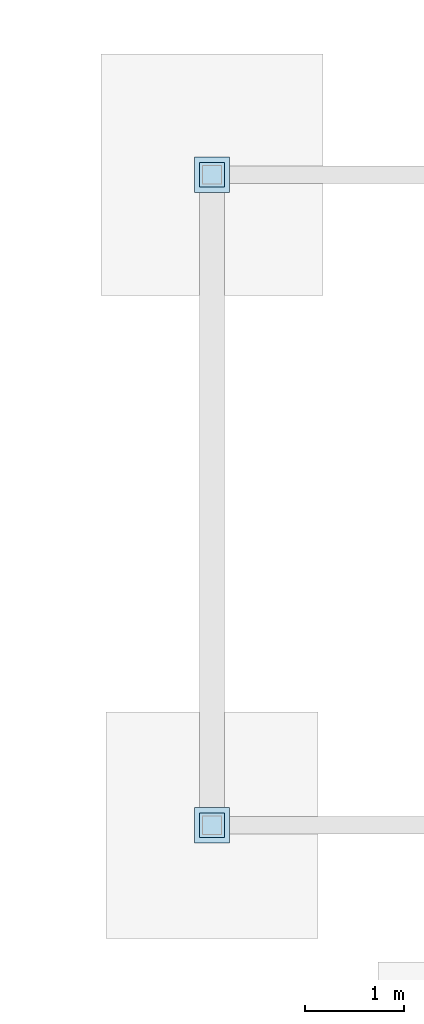
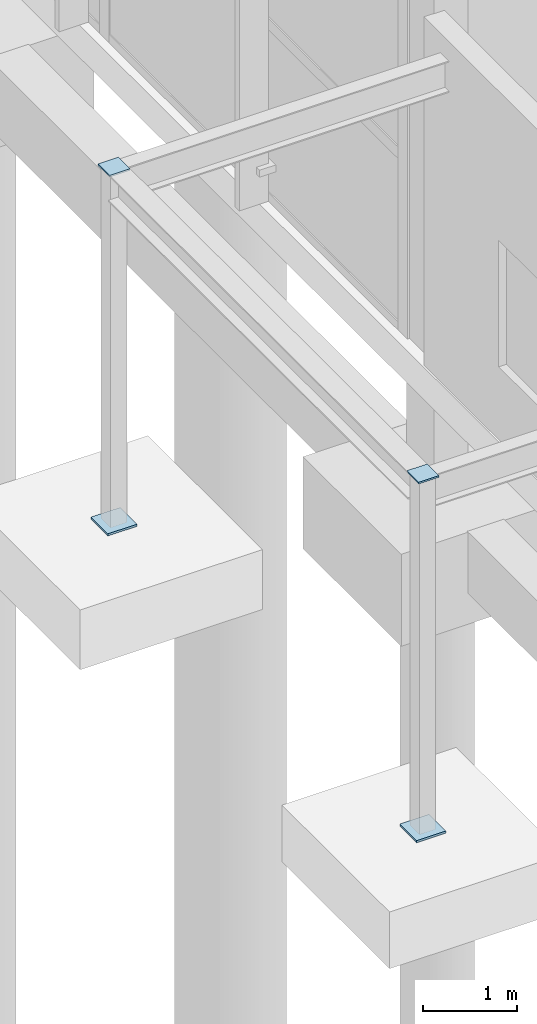
# One storey, part 55 of 88: 4 plates.
"""IFC4 building model written with IfcOpenShell, lengths in metres."""

from ifc_helpers import new_model, si_unit, direction, frame, origin, origin_2d, place, context, subcontext, project, spatial, rectangle, extrude, material, layer, layer_set, type_object, element, save


model = new_model("IFC4")

# Units and contexts
model_context = context("Model", 3, precision=1e-05, world=origin(), true_north=direction((0.0, 1.0)))
body_context = subcontext(model_context, "Body", "Model", "MODEL_VIEW")
ifc_project = project(units=[si_unit("LENGTHUNIT", "METRE"), si_unit("AREAUNIT", "SQUARE_METRE"), si_unit("VOLUMEUNIT", "CUBIC_METRE"), si_unit("PLANEANGLEUNIT", "RADIAN"), si_unit("MASSUNIT", "GRAM", prefix="KILO")], contexts=[model_context])

# Site, building, storey
site_placement = place(None, origin())
site = spatial("IfcSite", under=ifc_project, at=site_placement, CompositionType="ELEMENT")
building_placement = place(site_placement, origin())
building = spatial("IfcBuilding", under=site, at=building_placement, Name="Birchvale Park Specialist Clinic", CompositionType="ELEMENT")
storey_placement = place(building_placement, origin())
storey = spatial("IfcBuildingStorey", under=building, at=storey_placement, Name="L00", CompositionType="ELEMENT", Elevation=0.0)

# Plates
ifc_material = material(Name="Steel ASTM A572 Grade 50", Category="steel")
ifc_layer_1 = layer(ifc_material, 0.028076171875)
ifc_layer_set_1 = layer_set([ifc_layer_1], Name="Steel ASTM A572 Grade 50")
plate_type_1 = type_object("IfcPlateType", Name="PLT-BP2", PredefinedType="USERDEFINED", material=ifc_layer_set_1)
for number, where, z_axis, x_axis, name in (
    (1, (123.89990234375, 83.800048828125, -0.2998046875), (0.0, 0.0, 1.0), (1.0, 0.0, 0.0), "L00 canopy base plate 7"),
    (2, (123.89990234375, 90.39990234375, -0.2998046875), (0.0, 0.0, 1.0), (1.0, 0.0, 0.0), "L00 canopy base plate 8"),
):
    element("IfcPlate", number, at=place(storey_placement, frame(where, z_axis=z_axis, x_axis=x_axis)), inside=storey, type_object=plate_type_1, Name=name, ObjectType="BASE_PLATE", PredefinedType="USERDEFINED", context=body_context, shape_type="SweptSolid", body=[
        extrude(rectangle(XDim=0.360107421875, YDim=0.360107421875, at=origin_2d()), origin(), (0.0, 0.0, 1.0), 0.028076171875),
    ])
ifc_layer_2 = layer(ifc_material, 0.02197265625)
ifc_layer_set_2 = layer_set([ifc_layer_2], Name="Steel ASTM A572 Grade 50")
plate_type_2 = type_object("IfcPlateType", Name="PLT-EC5", PredefinedType="USERDEFINED", material=ifc_layer_set_2)
for number, where, z_axis, x_axis, name in (
    (3, (123.89990234375, 83.800048828125, 4.328125), (0.0, 0.0, 1.0), (1.0, 0.0, 0.0), "L00 canopy column cap plate 7"),
    (4, (123.89990234375, 90.39990234375, 4.328125), (0.0, 0.0, 1.0), (1.0, 0.0, 0.0), "L00 canopy column cap plate 8"),
):
    element("IfcPlate", number, at=place(storey_placement, frame(where, z_axis=z_axis, x_axis=x_axis)), inside=storey, type_object=plate_type_2, Name=name, ObjectType="BASE_PLATE", PredefinedType="USERDEFINED", context=body_context, shape_type="SweptSolid", body=[
        extrude(rectangle(XDim=0.25, YDim=0.25, at=origin_2d()), origin(), (0.0, 0.0, 1.0), 0.02197265625),
    ])

save(model, "model.ifc")
